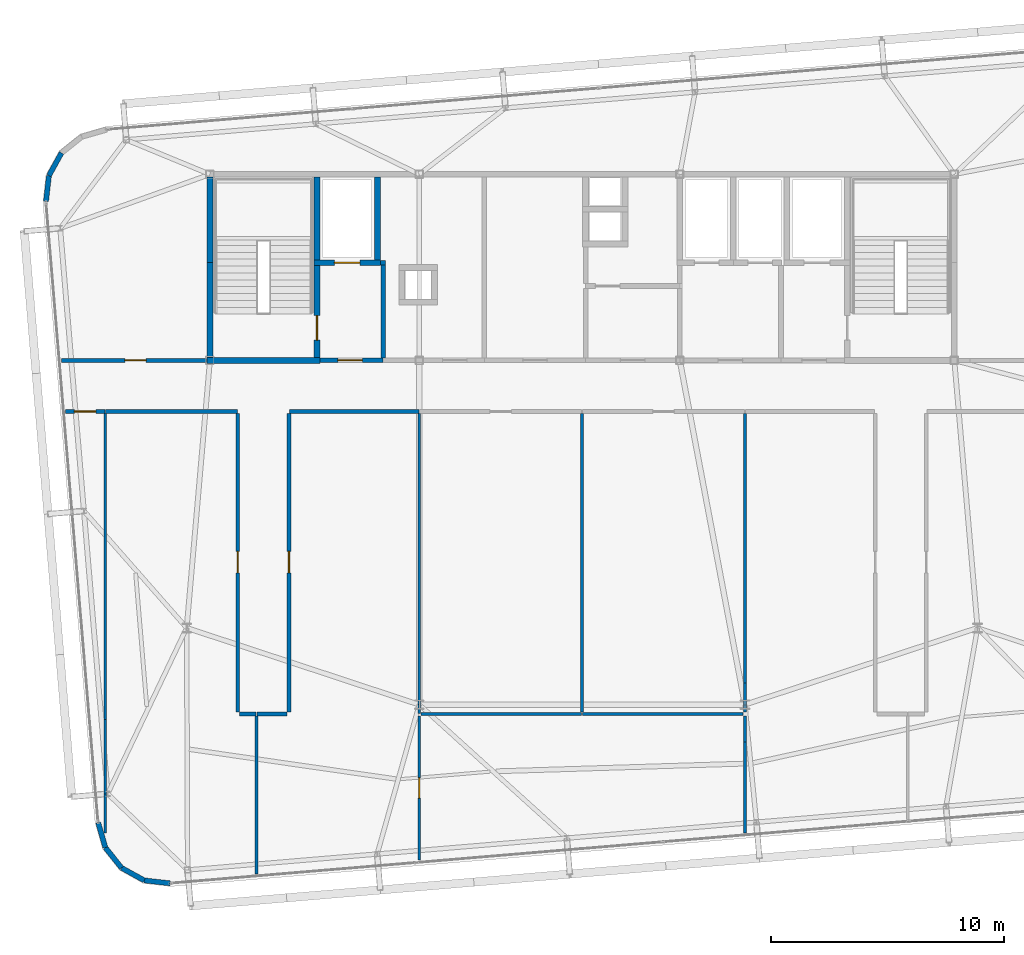
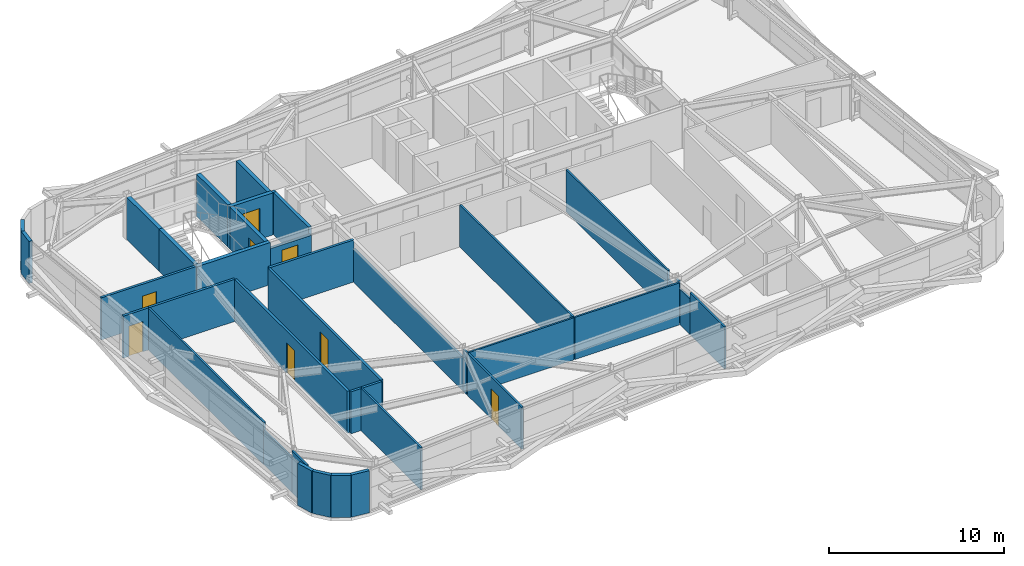
# One storey, part 35 of 39: 39 walls, 8 doors, 8 openings.
"""IFC4 building model written with IfcOpenShell, lengths in metres."""

from ifc_helpers import new_model, si_unit, direction, frame, frame_2d, origin, place, context, subcontext, project, spatial, rectangle, extrude, source, transform, mapped, material, layer, layer_set, type_object, element, fill, save


model = new_model("IFC4")

# Units and contexts
model_context = context("Model", 3, precision=1e-05, world=origin(), true_north=direction((0.0, 1.0)))
body_context = subcontext(model_context, "Body", "Model", "MODEL_VIEW")
ifc_project = project(units=[si_unit("LENGTHUNIT", "METRE"), si_unit("AREAUNIT", "SQUARE_METRE"), si_unit("VOLUMEUNIT", "CUBIC_METRE"), si_unit("PLANEANGLEUNIT", "RADIAN"), si_unit("MASSUNIT", "GRAM", prefix="KILO")], contexts=[model_context])

# Site, building, storey
site_placement = place(None, origin())
site = spatial("IfcSite", under=ifc_project, at=site_placement, CompositionType="ELEMENT")
building_placement = place(site_placement, origin())
building = spatial("IfcBuilding", under=site, at=building_placement, Name="Taldren Reach Tower", CompositionType="ELEMENT")
storey_placement = place(building_placement, frame((0.0, 0.0, 175.699951171875)))
storey = spatial("IfcBuildingStorey", under=building, at=storey_placement, Name="L53", CompositionType="ELEMENT", Elevation=175.699951171875)

# Walls
ifc_material_1 = material(Name="Pale Champagne Anodised Aluminium Cladding", Category="aluminium")
ifc_layer_1 = layer(ifc_material_1, 0.04, Name="Pale Champagne Anodised Aluminium Cladding", Category="aluminium")
ifc_material_2 = material(Name="Mineral Wool Acoustic Insulation", Category="insulation")
ifc_layer_2 = layer(ifc_material_2, 0.06, Name="Mineral Wool Acoustic Insulation", Category="insulation")
ifc_material_3 = material(Name="Steel Gr 350 (C350L0)", Category="steel")
ifc_layer_3 = layer(ifc_material_3, 0.12, Name="Steel Gr 350 (C350L0)", Category="steel")
ifc_layer_set_1 = layer_set([ifc_layer_1, ifc_layer_2, ifc_layer_3], Name="Pale Champagne Aluminium Cladding and Steel Gr 350 Stud Framing")
wall_type_1 = type_object("IfcWallType", Name="EW-CRN-220", PredefinedType="SOLIDWALL", material=ifc_layer_set_1)
shared_shape_1 = source(origin(), body_context, "Body", "SweptSolid", [
    extrude(rectangle(XDim=1.115966796875, YDim=0.219970703125, at=frame_2d((0.55810546875, 0.0))), origin(), (0.0, 0.0, 1.0), 2.929931640625),
])
for number, where, z_axis, x_axis, name in (
    (1, (12.618896484375, 32.9208984375, 0.0), (0.0, 0.0, 1.0), (-0.484100585842, -0.875012355791, 0.0), "Rounded-corner pale-metal facade wall L53-NW3"),
    (2, (12.07861328125, 31.9443359375, 0.0), (0.0, 0.0, 1.0), (-0.112232247342, -0.993682002784, 0.0), "Rounded-corner pale-metal facade wall L53-NW4"),
    (3, (14.19580078125, 4.129638671875, 0.0), (0.0, 0.0, 1.0), (0.276512002475, -0.961010464297, 0.0), "Rounded-corner pale-metal facade wall L53-SW1"),
    (4, (14.50439453125, 3.05712890625, 0.0), (0.0, 0.0, 1.0), (0.623092886403, -0.782147847222, 0.0), "Rounded-corner pale-metal facade wall L53-SW2"),
    (5, (15.19970703125, 2.184326171875, 0.0), (0.0, 0.0, 1.0), (0.875105012065, -0.483933071672, 0.0), "Rounded-corner pale-metal facade wall L53-SW3"),
    (6, (16.17626953125, 1.644287109375, 0.0), (0.0, 0.0, 1.0), (0.993657581277, -0.112448259968, 0.0), "Rounded-corner pale-metal facade wall L53-SW4"),
):
    element("IfcWall", number, at=place(storey_placement, frame(where, z_axis=z_axis, x_axis=x_axis)), inside=storey, type_object=wall_type_1, Name=name, PredefinedType="SOLIDWALL", context=body_context, shape_type="MappedRepresentation", body=[
        mapped(shared_shape_1, transform((0.0, 0.0, 0.0), scale=1.0)),
    ])
ifc_material_4 = material(Name="Fire-Rated Acoustic Plasterboard Stud Wall", Category="gypsum")
ifc_layer_4 = layer(ifc_material_4, 0.159912109375)
ifc_layer_set_2 = layer_set([ifc_layer_4], Name="Fire-Rated Acoustic Plasterboard Stud Wall")
wall_type_2 = type_object("IfcWallType", Name="IW-FIRE-160", PredefinedType="PARTITIONING", material=ifc_layer_set_2)
shared_shape_2 = source(origin(), body_context, "Body", "SweptSolid", [
    extrude(rectangle(XDim=1.2998046875, YDim=0.159912109375, at=frame_2d((0.64990234375, 0.0))), origin(), (0.0, 0.0, 1.0), 2.929931640625),
])
wall_1_placement = place(storey_placement, frame((22.320068359375, 8.800048828125, 0.0), z_axis=(0.0, 0.0, 1.0), x_axis=(-1.0, 0.0, 0.0)))
element("IfcWall", 7, at=wall_1_placement, inside=storey, type_object=wall_type_2, Name="Interior Partition Wall W-INT-L53-046", PredefinedType="PARTITIONING", context=body_context, shape_type="MappedRepresentation", body=[
    mapped(shared_shape_2, transform((0.0, 0.0, 0.0), scale=1.0)),
])
shared_shape_3 = source(origin(), body_context, "Body", "SweptSolid", [
    extrude(rectangle(XDim=0.69970703125, YDim=0.159912109375, at=frame_2d((0.349853515625, 0.0))), origin(), (0.0, 0.0, 1.0), 2.929931640625),
])
wall_2_placement = place(storey_placement, frame((20.979736328125, 8.800048828125, 0.0), z_axis=(0.0, 0.0, 1.0), x_axis=(-1.0, 0.0, 0.0)))
element("IfcWall", 8, at=wall_2_placement, inside=storey, type_object=wall_type_2, Name="Interior Partition Wall W-INT-L53-043", PredefinedType="PARTITIONING", context=body_context, shape_type="MappedRepresentation", body=[
    mapped(shared_shape_3, transform((0.0, 0.0, 0.0), scale=1.0)),
])
ifc_material_5 = material(Name="Concrete S50 (50 MPa)", Category="concrete")
ifc_layer_5 = layer(ifc_material_5, 0.199951171875)
ifc_layer_set_3 = layer_set([ifc_layer_5], Name="Concrete S50 (50 MPa)")
wall_type_3 = type_object("IfcWallType", Name="IW-CORE-200", PredefinedType="SOLIDWALL", material=ifc_layer_set_3)
shared_shape_4 = source(origin(), body_context, "Body", "SweptSolid", [
    extrude(rectangle(XDim=4.0, YDim=0.199951171875, at=frame_2d((2.0, 0.0))), origin(), (0.0, 0.0, 1.0), 2.929931640625),
])
wall_3_placement = place(storey_placement, frame((26.449951171875, 24.10009765625, 0.0), z_axis=(0.0, 0.0, 1.0), x_axis=(0.0, 1.0, 0.0)))
element("IfcWall", 9, at=wall_3_placement, inside=storey, type_object=wall_type_3, Name="Rear Core Shear Wall W-INT-L53-006", PredefinedType="SOLIDWALL", context=body_context, shape_type="MappedRepresentation", body=[
    mapped(shared_shape_4, transform((0.0, 0.0, 0.0), scale=1.0)),
])
ifc_material_6 = material(Name="Insulated Residential Stud Partition", Category="gypsum")
ifc_layer_6 = layer(ifc_material_6, 0.1201171875)
ifc_layer_set_4 = layer_set([ifc_layer_6], Name="Insulated Residential Stud Partition")
wall_type_4 = type_object("IfcWallType", Name="IW-PART-120", PredefinedType="PARTITIONING", material=ifc_layer_set_4)
shared_shape_5 = source(origin(), body_context, "Body", "SweptSolid", [
    extrude(rectangle(XDim=11.589599609375, YDim=0.1201171875, at=frame_2d((5.794921875, 0.0))), origin(), (0.0, 0.0, 1.0), 2.929931640625),
])
wall_4_placement = place(storey_placement, frame((42.0, 21.719970703125, 0.0), z_axis=(0.0, 0.0, 1.0), x_axis=(0.0, -1.0, 0.0)))
element("IfcWall", 10, at=wall_4_placement, inside=storey, type_object=wall_type_4, Name="Interior Partition Wall W-INT-L53-065", PredefinedType="PARTITIONING", context=body_context, shape_type="MappedRepresentation", body=[
    mapped(shared_shape_5, transform((0.0, 0.0, 0.0), scale=1.0)),
])
shared_shape_6 = source(origin(), body_context, "Body", "SweptSolid", [
    extrude(rectangle(XDim=0.941650390625, YDim=0.1201171875, at=frame_2d((0.470703125, 0.0))), origin(), (0.0, 0.0, 1.0), 2.328125),
])
wall_5_placement = place(storey_placement, frame((42.0, 10.13037109375, 0.0), z_axis=(0.0, 0.0, 1.0), x_axis=(0.0, -1.0, 0.0)))
element("IfcWall", 11, at=wall_5_placement, inside=storey, type_object=wall_type_4, Name="Interior Partition Wall W-INT-L53-065 part 2", PredefinedType="PARTITIONING", context=body_context, shape_type="MappedRepresentation", body=[
    mapped(shared_shape_6, transform((0.0, 0.0, 0.0), scale=1.0)),
])
shared_shape_7 = source(origin(), body_context, "Body", "SweptSolid", [
    extrude(rectangle(XDim=12.52001953125, YDim=0.1201171875, at=frame_2d((6.260009765625, 0.0))), origin(), (0.0, 0.0, 1.0), 2.328125),
])
wall_6_placement = place(storey_placement, frame((28.0, 21.719970703125, 0.0), z_axis=(0.0, 0.0, 1.0), x_axis=(0.0, -1.0, 0.0)))
element("IfcWall", 12, at=wall_6_placement, inside=storey, type_object=wall_type_4, Name="Interior Partition Wall W-INT-L53-063", PredefinedType="PARTITIONING", context=body_context, shape_type="MappedRepresentation", body=[
    mapped(shared_shape_7, transform((0.0, 0.0, 0.0), scale=1.0)),
])
ifc_material_7 = material(Name="Concrete S65 (65 MPa)", Category="concrete")
ifc_layer_7 = layer(ifc_material_7, 0.25)
ifc_layer_set_5 = layer_set([ifc_layer_7], Name="Concrete S65 (65 MPa)")
wall_type_5 = type_object("IfcWallType", Name="IW-CORE-250", PredefinedType="SHEAR", material=ifc_layer_set_5)
shared_shape_8 = source(origin(), body_context, "Body", "SweptSolid", [
    extrude(rectangle(XDim=4.074951171875, YDim=0.25, at=frame_2d((2.03759765625, 0.0))), origin(), (0.0, 0.0, 1.0), 2.929931640625),
])
wall_7_placement = place(storey_placement, frame((19.0, 24.125, 0.0), z_axis=(0.0, 0.0, 1.0), x_axis=(0.0, 1.0, 0.0)))
element("IfcWall", 13, at=wall_7_placement, inside=storey, type_object=wall_type_5, Name="Rear Core Shear Wall W-CORE-L53-WEST1", PredefinedType="SHEAR", context=body_context, shape_type="MappedRepresentation", body=[
    mapped(shared_shape_8, transform((0.0, 0.0, 0.0), scale=1.0)),
])
shared_shape_9 = source(origin(), body_context, "Body", "SweptSolid", [
    extrude(rectangle(XDim=3.675048828125, YDim=0.25, at=frame_2d((1.83740234375, 0.0))), origin(), (0.0, 0.0, 1.0), 2.929931640625),
])
wall_8_placement = place(storey_placement, frame((19.0, 28.199951171875, 0.0), z_axis=(0.0, 0.0, 1.0), x_axis=(0.0, 1.0, 0.0)))
element("IfcWall", 14, at=wall_8_placement, inside=storey, type_object=wall_type_5, Name="Rear Core Shear Wall W-CORE-L53-WEST2", PredefinedType="SHEAR", context=body_context, shape_type="MappedRepresentation", body=[
    mapped(shared_shape_9, transform((0.0, 0.0, 0.0), scale=1.0)),
])
shared_shape_10 = source(origin(), body_context, "Body", "SweptSolid", [
    extrude(rectangle(XDim=3.550048828125, YDim=0.25, at=frame_2d((1.77490234375, 0.0))), origin(), (0.0, 0.0, 1.0), 2.929931640625),
])
for number, where, z_axis, x_axis, name in (
    (15, (23.60009765625, 28.324951171875, 0.0), (0.0, 0.0, 1.0), (0.0, 1.0, 0.0), "Rear Core Shear Wall W-INT-L53-001"),
    (16, (26.199951171875, 28.324951171875, 0.0), (0.0, 0.0, 1.0), (0.0, 1.0, 0.0), "Rear Core Shear Wall W-INT-L53-005"),
):
    element("IfcWall", number, at=place(storey_placement, frame(where, z_axis=z_axis, x_axis=x_axis)), inside=storey, type_object=wall_type_5, Name=name, PredefinedType="SHEAR", context=body_context, shape_type="MappedRepresentation", body=[
        mapped(shared_shape_10, transform((0.0, 0.0, 0.0), scale=1.0)),
    ])

# Wall, opening, door
shared_shape_11 = source(origin(), body_context, "Body", "SweptSolid", [
    extrude(rectangle(XDim=3.949951171875, YDim=0.25, at=frame_2d((1.97509765625, 0.0))), origin(), (0.0, 0.0, 1.0), 2.929931640625),
])
wall_9_placement = place(storey_placement, frame((23.60009765625, 24.125, 0.0), z_axis=(0.0, 0.0, 1.0), x_axis=(0.0, 1.0, 0.0)))
wall_9 = element("IfcWall", 17, at=wall_9_placement, inside=storey, type_object=wall_type_5, Name="Rear Core Shear Wall W-INT-L53-002", PredefinedType="SHEAR", context=body_context, shape_type="MappedRepresentation", body=[
    mapped(shared_shape_11, transform((0.0, 0.0, 0.0), scale=1.0)),
])
shared_shape_12 = source(origin(), body_context, "Body", "SweptSolid", [
    extrude(rectangle(XDim=1.050048828125, YDim=2.10009765625, at=frame_2d((0.52490234375, 1.050048828125))), frame((0.0, 0.135009765625, 0.0), z_axis=(0.0, -1.0, 0.0), x_axis=(1.0, 0.0, 0.0)), (0.0, 0.0, 1.0), 0.27001953125),
])
opening_1_placement = place(wall_9_placement, frame((0.75, 0.0, 0.0)))
opening_1 = element("IfcOpeningElement", 18, at=opening_1_placement, cuts=wall_9, Name="Opening DF-105", PredefinedType="OPENING", context=body_context, shape_type="MappedRepresentation", body=[
    mapped(shared_shape_12, transform((0.0, 0.0, 0.0), scale=1.0)),
])
ifc_material_8 = material(Name="Fire-Rated Care and Stair Exit Door")
door_type_1 = type_object("IfcDoorType", Name="ID-FIRE-105", OperationType="NOTDEFINED", PredefinedType="DOOR", material=ifc_material_8)
shared_shape_13 = source(origin(), body_context, "Body", "SweptSolid", [
    extrude(rectangle(XDim=1.050048828125, YDim=2.10009765625, at=frame_2d((0.52490234375, 1.050048828125))), frame((0.0, 0.02490234375, 0.0), z_axis=(0.0, -1.0, 0.0), x_axis=(1.0, 0.0, 0.0)), (0.0, 0.0, 1.0), 0.050048828125),
])
door_1_placement = place(opening_1_placement, origin())
door_1 = element("IfcDoor", 19, at=door_1_placement, inside=storey, type_object=door_type_1, Name="Fire Exit Stair Door DR-L53-001", OperationType="SINGLE_SWING_LEFT", OverallHeight=2.10009765625, OverallWidth=1.050048828125, PredefinedType="DOOR", context=body_context, shape_type="MappedRepresentation", body=[
    mapped(shared_shape_13, transform((0.0, 0.0, 0.0), scale=1.0)),
])
fill(opening_1, door_1)

# Wall
shared_shape_14 = source(origin(), body_context, "Body", "SweptSolid", [
    extrude(rectangle(XDim=4.85009765625, YDim=0.25, at=frame_2d((2.425048828125, 0.0))), origin(), (0.0, 0.0, 1.0), 2.929931640625),
])
wall_10_placement = place(storey_placement, frame((18.875, 24.0, 0.0), z_axis=(0.0, 0.0, 1.0), x_axis=(1.0, 0.0, 0.0)))
element("IfcWall", 20, at=wall_10_placement, inside=storey, type_object=wall_type_5, Name="Rear Core Shear Wall W-INT-L53-003", PredefinedType="SHEAR", context=body_context, shape_type="MappedRepresentation", body=[
    mapped(shared_shape_14, transform((0.0, 0.0, 0.0), scale=1.0)),
])

# Wall, opening, door
shared_shape_15 = source(origin(), body_context, "Body", "SweptSolid", [
    extrude(rectangle(XDim=2.849853515625, YDim=0.25, at=frame_2d((1.4248046875, 0.0))), origin(), (0.0, 0.0, 1.0), 2.929931640625),
])
wall_11_placement = place(storey_placement, frame((23.47509765625, 28.199951171875, 0.0), z_axis=(0.0, 0.0, 1.0), x_axis=(1.0, 0.0, 0.0)))
wall_11 = element("IfcWall", 21, at=wall_11_placement, inside=storey, type_object=wall_type_5, Name="Rear Core Shear Wall W-INT-L53-004", PredefinedType="SHEAR", context=body_context, shape_type="MappedRepresentation", body=[
    mapped(shared_shape_15, transform((0.0, 0.0, 0.0), scale=1.0)),
])
shared_shape_16 = source(origin(), body_context, "Body", "SweptSolid", [
    extrude(rectangle(XDim=1.10009765625, YDim=2.14990234375, at=frame_2d((0.550048828125, 1.074951171875))), frame((0.0, 0.135009765625, 0.0), z_axis=(0.0, -1.0, 0.0), x_axis=(1.0, 0.0, 0.0)), (0.0, 0.0, 1.0), 0.27001953125),
])
opening_2_placement = place(wall_11_placement, frame((0.875, 0.0, 0.0)))
opening_2 = element("IfcOpeningElement", 22, at=opening_2_placement, cuts=wall_11, Name="Opening LD-FL1", PredefinedType="OPENING", context=body_context, shape_type="MappedRepresentation", body=[
    mapped(shared_shape_16, transform((0.0, 0.0, 0.0), scale=1.0)),
])
ifc_material_9 = material(Name="Stainless Steel Gr 316 Emergency Lift Landing Door", Category="steel")
door_type_2 = type_object("IfcDoorType", Name="LD-EMG-110", OperationType="SLIDING_TO_LEFT", PredefinedType="DOOR", material=ifc_material_9)
shared_shape_17 = source(origin(), body_context, "Body", "SweptSolid", [
    extrude(rectangle(XDim=1.10009765625, YDim=2.14990234375, at=frame_2d((0.550048828125, 1.074951171875))), frame((0.0, 0.02490234375, 0.0), z_axis=(0.0, -1.0, 0.0), x_axis=(1.0, 0.0, 0.0)), (0.0, 0.0, 1.0), 0.050048828125),
])
door_2_placement = place(opening_2_placement, origin())
door_2 = element("IfcDoor", 23, at=door_2_placement, inside=storey, type_object=door_type_2, Name="Lift Landing Door LD-FL1-L53", OperationType="SLIDING_TO_LEFT", OverallHeight=2.14990234375, OverallWidth=1.10009765625, PredefinedType="DOOR", context=body_context, shape_type="MappedRepresentation", body=[
    mapped(shared_shape_17, transform((0.0, 0.0, 0.0), scale=1.0)),
])
fill(opening_2, door_2)

shared_shape_18 = source(origin(), body_context, "Body", "SweptSolid", [
    extrude(rectangle(XDim=2.724853515625, YDim=0.199951171875, at=frame_2d((1.3623046875, 0.0))), origin(), (0.0, 0.0, 1.0), 2.469970703125),
])
wall_12_placement = place(storey_placement, frame((23.72509765625, 24.0, 0.0), z_axis=(0.0, 0.0, 1.0), x_axis=(1.0, 0.0, 0.0)))
wall_12 = element("IfcWall", 24, at=wall_12_placement, inside=storey, type_object=wall_type_3, Name="Rear Core Shear Wall W-INT-L53-007", PredefinedType="SOLIDWALL", context=body_context, shape_type="MappedRepresentation", body=[
    mapped(shared_shape_18, transform((0.0, 0.0, 0.0), scale=1.0)),
])
shared_shape_19 = source(origin(), body_context, "Body", "SweptSolid", [
    extrude(rectangle(XDim=1.050048828125, YDim=2.10009765625, at=frame_2d((0.52490234375, 1.050048828125))), frame((0.0, 0.10986328125, 0.0), z_axis=(0.0, -1.0, 0.0), x_axis=(1.0, 0.0, 0.0)), (0.0, 0.0, 1.0), 0.219970703125),
])
opening_3_placement = place(wall_12_placement, frame((0.77490234375, 0.0, 0.0)))
opening_3 = element("IfcOpeningElement", 25, at=opening_3_placement, cuts=wall_12, Name="Opening DF-105", PredefinedType="OPENING", context=body_context, shape_type="MappedRepresentation", body=[
    mapped(shared_shape_19, transform((0.0, 0.0, 0.0), scale=1.0)),
])
door_3_placement = place(opening_3_placement, origin())
door_3 = element("IfcDoor", 26, at=door_3_placement, inside=storey, type_object=door_type_1, Name="Interior Door DR-L53-002", OperationType="SINGLE_SWING_LEFT", OverallHeight=2.10009765625, OverallWidth=1.050048828125, PredefinedType="DOOR", context=body_context, shape_type="MappedRepresentation", body=[
    mapped(shared_shape_13, transform((0.0, 0.0, 0.0), scale=1.0)),
])
fill(opening_3, door_3)

shared_shape_20 = source(origin(), body_context, "Body", "SweptSolid", [
    extrude(rectangle(XDim=6.250732421875, YDim=0.159912109375, at=frame_2d((3.12548828125, 0.0))), origin(), (0.0, 0.0, 1.0), 2.929931640625),
])
wall_13_placement = place(storey_placement, frame((12.624267578125, 24.0, 0.0), z_axis=(0.0, 0.0, 1.0), x_axis=(1.0, 0.0, 0.0)))
wall_13 = element("IfcWall", 27, at=wall_13_placement, inside=storey, type_object=wall_type_2, Name="Interior Partition Wall W-INT-L53-039", PredefinedType="PARTITIONING", context=body_context, shape_type="MappedRepresentation", body=[
    mapped(shared_shape_20, transform((0.0, 0.0, 0.0), scale=1.0)),
])
shared_shape_21 = source(origin(), body_context, "Body", "SweptSolid", [
    extrude(rectangle(XDim=0.919921875, YDim=2.10009765625, at=frame_2d((0.4599609375, 1.050048828125))), frame((0.0, 0.08984375, 0.0), z_axis=(0.0, -1.0, 0.0), x_axis=(1.0, 0.0, 0.0)), (0.0, 0.0, 1.0), 0.179931640625),
])
opening_4_placement = place(wall_13_placement, frame((2.7177734375, 0.0, 0.0)))
opening_4 = element("IfcOpeningElement", 28, at=opening_4_placement, cuts=wall_13, Name="Opening DI-092", PredefinedType="OPENING", context=body_context, shape_type="MappedRepresentation", body=[
    mapped(shared_shape_21, transform((0.0, 0.0, 0.0), scale=1.0)),
])
ifc_material_10 = material(Name="Solid-Core Timber Suite Door", Category="wood")
door_type_3 = type_object("IfcDoorType", Name="ID-INT-092", OperationType="NOTDEFINED", PredefinedType="DOOR", material=ifc_material_10)
shared_shape_22 = source(origin(), body_context, "Body", "SweptSolid", [
    extrude(rectangle(XDim=0.919921875, YDim=2.10009765625, at=frame_2d((0.4599609375, 1.050048828125))), frame((0.0, 0.02490234375, 0.0), z_axis=(0.0, -1.0, 0.0), x_axis=(1.0, 0.0, 0.0)), (0.0, 0.0, 1.0), 0.050048828125),
])
door_4_placement = place(opening_4_placement, origin())
door_4 = element("IfcDoor", 29, at=door_4_placement, inside=storey, type_object=door_type_3, Name="Interior Door DR-L53-010", OperationType="SINGLE_SWING_LEFT", OverallHeight=2.10009765625, OverallWidth=0.919921875, PredefinedType="DOOR", context=body_context, shape_type="MappedRepresentation", body=[
    mapped(shared_shape_22, transform((0.0, 0.0, 0.0), scale=1.0)),
])
fill(opening_4, door_4)

shared_shape_23 = source(origin(), body_context, "Body", "SweptSolid", [
    extrude(rectangle(XDim=1.68408203125, YDim=0.159912109375, at=frame_2d((0.842041015625, 0.0))), origin(), (0.0, 0.0, 1.0), 2.929931640625),
])
wall_14_placement = place(storey_placement, frame((14.479736328125, 21.800048828125, 0.0), z_axis=(0.0, 0.0, 1.0), x_axis=(-1.0, 0.0, 0.0)))
wall_14 = element("IfcWall", 30, at=wall_14_placement, inside=storey, type_object=wall_type_2, Name="Interior Partition Wall W-INT-L53-040", PredefinedType="PARTITIONING", context=body_context, shape_type="MappedRepresentation", body=[
    mapped(shared_shape_23, transform((0.0, 0.0, 0.0), scale=1.0)),
])
opening_5_placement = place(wall_14_placement, frame((0.382080078125, 0.0, 0.0)))
opening_5 = element("IfcOpeningElement", 31, at=opening_5_placement, cuts=wall_14, Name="Opening DI-092", PredefinedType="OPENING", context=body_context, shape_type="MappedRepresentation", body=[
    mapped(shared_shape_21, transform((0.0, 0.0, 0.0), scale=1.0)),
])
door_5_placement = place(opening_5_placement, origin())
door_5 = element("IfcDoor", 32, at=door_5_placement, inside=storey, type_object=door_type_3, Name="Interior Door DR-L53-011", OperationType="SINGLE_SWING_RIGHT", OverallHeight=2.10009765625, OverallWidth=0.919921875, PredefinedType="DOOR", context=body_context, shape_type="MappedRepresentation", body=[
    mapped(shared_shape_22, transform((0.0, 0.0, 0.0), scale=1.0)),
])
fill(opening_5, door_5)

shared_shape_24 = source(origin(), body_context, "Body", "SweptSolid", [
    extrude(rectangle(XDim=12.840087890625, YDim=0.159912109375, at=frame_2d((6.419921875, 0.0))), origin(), (0.0, 0.0, 1.0), 2.929931640625),
])
wall_15_placement = place(storey_placement, frame((20.199951171875, 8.8798828125, 0.0), z_axis=(0.0, 0.0, 1.0), x_axis=(0.0, 1.0, 0.0)))
wall_15 = element("IfcWall", 33, at=wall_15_placement, inside=storey, type_object=wall_type_2, Name="Interior Partition Wall W-INT-L53-041", PredefinedType="PARTITIONING", context=body_context, shape_type="MappedRepresentation", body=[
    mapped(shared_shape_24, transform((0.0, 0.0, 0.0), scale=1.0)),
])
opening_6_placement = place(wall_15_placement, frame((5.989990234375, 0.0, 0.0)))
opening_6 = element("IfcOpeningElement", 34, at=opening_6_placement, cuts=wall_15, Name="Opening DI-092", PredefinedType="OPENING", context=body_context, shape_type="MappedRepresentation", body=[
    mapped(shared_shape_21, transform((0.0, 0.0, 0.0), scale=1.0)),
])
door_6_placement = place(opening_6_placement, origin())
door_6 = element("IfcDoor", 35, at=door_6_placement, inside=storey, type_object=door_type_3, Name="Interior Door DR-L53-012", OperationType="SINGLE_SWING_LEFT", OverallHeight=2.10009765625, OverallWidth=0.919921875, PredefinedType="DOOR", context=body_context, shape_type="MappedRepresentation", body=[
    mapped(shared_shape_22, transform((0.0, 0.0, 0.0), scale=1.0)),
])
fill(opening_6, door_6)

wall_16_placement = place(storey_placement, frame((22.39990234375, 21.719970703125, 0.0), z_axis=(0.0, 0.0, 1.0), x_axis=(0.0, -1.0, 0.0)))
wall_16 = element("IfcWall", 36, at=wall_16_placement, inside=storey, type_object=wall_type_2, Name="Interior Partition Wall W-INT-L53-044", PredefinedType="PARTITIONING", context=body_context, shape_type="MappedRepresentation", body=[
    mapped(shared_shape_24, transform((0.0, 0.0, 0.0), scale=1.0)),
])
opening_7_placement = place(wall_16_placement, frame((5.93017578125, 0.0, 0.0)))
opening_7 = element("IfcOpeningElement", 37, at=opening_7_placement, cuts=wall_16, Name="Opening DI-092", PredefinedType="OPENING", context=body_context, shape_type="MappedRepresentation", body=[
    mapped(shared_shape_21, transform((0.0, 0.0, 0.0), scale=1.0)),
])
door_7_placement = place(opening_7_placement, origin())
door_7 = element("IfcDoor", 38, at=door_7_placement, inside=storey, type_object=door_type_3, Name="Interior Door DR-L53-013", OperationType="SINGLE_SWING_RIGHT", OverallHeight=2.10009765625, OverallWidth=0.919921875, PredefinedType="DOOR", context=body_context, shape_type="MappedRepresentation", body=[
    mapped(shared_shape_22, transform((0.0, 0.0, 0.0), scale=1.0)),
])
fill(opening_7, door_7)

# Walls
shared_shape_25 = source(origin(), body_context, "Body", "SweptSolid", [
    extrude(rectangle(XDim=5.659423828125, YDim=0.159912109375, at=frame_2d((2.82958984375, 0.0))), origin(), (0.0, 0.0, 1.0), 2.929931640625),
])
wall_17_placement = place(storey_placement, frame((20.1796875, 21.800048828125, 0.0), z_axis=(0.0, 0.0, 1.0), x_axis=(-1.0, 0.0, 0.0)))
element("IfcWall", 39, at=wall_17_placement, inside=storey, type_object=wall_type_2, Name="Interior Partition Wall W-INT-L53-042", PredefinedType="PARTITIONING", context=body_context, shape_type="MappedRepresentation", body=[
    mapped(shared_shape_25, transform((0.0, 0.0, 0.0), scale=1.0)),
])
shared_shape_26 = source(origin(), body_context, "Body", "SweptSolid", [
    extrude(rectangle(XDim=5.5595703125, YDim=0.159912109375, at=frame_2d((2.77978515625, 0.0))), origin(), (0.0, 0.0, 1.0), 2.929931640625),
])
wall_18_placement = place(storey_placement, frame((27.979736328125, 21.800048828125, 0.0), z_axis=(0.0, 0.0, 1.0), x_axis=(-1.0, 0.0, 0.0)))
element("IfcWall", 40, at=wall_18_placement, inside=storey, type_object=wall_type_2, Name="Interior Partition Wall W-INT-L53-045", PredefinedType="PARTITIONING", context=body_context, shape_type="MappedRepresentation", body=[
    mapped(shared_shape_26, transform((0.0, 0.0, 0.0), scale=1.0)),
])

# Wall, opening, door
shared_shape_27 = source(origin(), body_context, "Body", "SweptSolid", [
    extrude(rectangle(XDim=6.204345703125, YDim=0.1201171875, at=frame_2d((3.10205078125, 0.0))), origin(), (0.0, 0.0, 1.0), 2.929931640625),
])
wall_19_placement = place(storey_placement, frame((28.0, 2.515625, 0.0), z_axis=(0.0, 0.0, 1.0), x_axis=(0.0, 1.0, 0.0)))
wall_19 = element("IfcWall", 41, at=wall_19_placement, inside=storey, type_object=wall_type_4, Name="Interior Partition Wall W-INT-L53-057", PredefinedType="PARTITIONING", context=body_context, shape_type="MappedRepresentation", body=[
    mapped(shared_shape_27, transform((0.0, 0.0, 0.0), scale=1.0)),
])
shared_shape_28 = source(origin(), body_context, "Body", "SweptSolid", [
    extrude(rectangle(XDim=0.860107421875, YDim=2.10009765625, at=frame_2d((0.43017578125, 1.050048828125))), frame((0.0, 0.070068359375, 0.0), z_axis=(0.0, -1.0, 0.0), x_axis=(1.0, 0.0, 0.0)), (0.0, 0.0, 1.0), 0.14013671875),
])
opening_8_placement = place(wall_19_placement, frame((2.672119140625, 0.0, 0.0)))
opening_8 = element("IfcOpeningElement", 42, at=opening_8_placement, cuts=wall_19, Name="Opening DI-086", PredefinedType="OPENING", context=body_context, shape_type="MappedRepresentation", body=[
    mapped(shared_shape_28, transform((0.0, 0.0, 0.0), scale=1.0)),
])
ifc_material_11 = material(Name="Timber Bathroom Door", Category="wood")
door_type_4 = type_object("IfcDoorType", Name="ID-INT-086", OperationType="NOTDEFINED", PredefinedType="DOOR", material=ifc_material_11)
shared_shape_29 = source(origin(), body_context, "Body", "SweptSolid", [
    extrude(rectangle(XDim=0.860107421875, YDim=2.10009765625, at=frame_2d((0.43017578125, 1.050048828125))), frame((0.0, 0.02490234375, 0.0), z_axis=(0.0, -1.0, 0.0), x_axis=(1.0, 0.0, 0.0)), (0.0, 0.0, 1.0), 0.050048828125),
])
door_8_placement = place(opening_8_placement, frame((0.860107421875, 0.0, 0.0), z_axis=(0.0, 0.0, 1.0), x_axis=(-1.0, 0.0, 0.0)))
door_8 = element("IfcDoor", 43, at=door_8_placement, inside=storey, type_object=door_type_4, Name="Interior Door DR-L53-020", OperationType="SINGLE_SWING_RIGHT", OverallHeight=2.10009765625, OverallWidth=0.860107421875, PredefinedType="DOOR", context=body_context, shape_type="MappedRepresentation", body=[
    mapped(shared_shape_29, transform((0.0, 0.0, 0.0), scale=1.0)),
])
fill(opening_8, door_8)

# Walls
shared_shape_30 = source(origin(), body_context, "Body", "SweptSolid", [
    extrude(rectangle(XDim=6.899658203125, YDim=0.1201171875, at=frame_2d((3.44970703125, 0.0))), origin(), (0.0, 0.0, 1.0), 2.929931640625),
])
for number, where, z_axis, x_axis, name in (
    (44, (28.080078125, 8.800048828125, 0.0), (0.0, 0.0, 1.0), (1.0, 0.0, 0.0), "Interior Partition Wall W-INT-L53-058"),
    (45, (35.020263671875, 8.800048828125, 0.0), (0.0, 0.0, 1.0), (1.0, 0.0, 0.0), "Interior Partition Wall W-INT-L53-059"),
):
    element("IfcWall", number, at=place(storey_placement, frame(where, z_axis=z_axis, x_axis=x_axis)), inside=storey, type_object=wall_type_4, Name=name, PredefinedType="PARTITIONING", context=body_context, shape_type="MappedRepresentation", body=[
        mapped(shared_shape_30, transform((0.0, 0.0, 0.0), scale=1.0)),
    ])
shared_shape_31 = source(origin(), body_context, "Body", "SweptSolid", [
    extrude(rectangle(XDim=1.116455078125, YDim=0.1201171875, at=frame_2d((0.55810546875, 0.0))), origin(), (0.0, 0.0, 1.0), 2.469970703125),
])
wall_20_placement = place(storey_placement, frame((42.0, 8.719970703125, 0.0), z_axis=(0.0, 0.0, 1.0), x_axis=(0.0, -1.0, 0.0)))
element("IfcWall", 46, at=wall_20_placement, inside=storey, type_object=wall_type_4, Name="Interior Partition Wall W-INT-L53-060", PredefinedType="PARTITIONING", context=body_context, shape_type="MappedRepresentation", body=[
    mapped(shared_shape_31, transform((0.0, 0.0, 0.0), scale=1.0)),
])
shared_shape_32 = source(origin(), body_context, "Body", "SweptSolid", [
    extrude(rectangle(XDim=3.92578125, YDim=0.1201171875, at=frame_2d((1.962890625, 0.0))), origin(), (0.0, 0.0, 1.0), 2.929931640625),
])
wall_21_placement = place(storey_placement, frame((42.0, 7.603515625, 0.0), z_axis=(0.0, 0.0, 1.0), x_axis=(0.0, -1.0, 0.0)))
element("IfcWall", 47, at=wall_21_placement, inside=storey, type_object=wall_type_4, Name="Interior Partition Wall W-INT-L53-060 part 2", PredefinedType="PARTITIONING", context=body_context, shape_type="MappedRepresentation", body=[
    mapped(shared_shape_32, transform((0.0, 0.0, 0.0), scale=1.0)),
])
shared_shape_33 = source(origin(), body_context, "Body", "SweptSolid", [
    extrude(rectangle(XDim=13.154541015625, YDim=0.1201171875, at=frame_2d((6.5771484375, 0.0))), origin(), (0.0, 0.0, 1.0), 2.929931640625),
])
wall_22_placement = place(storey_placement, frame((14.5, 21.719970703125, 0.0), z_axis=(0.0, 0.0, 1.0), x_axis=(0.0, -1.0, 0.0)))
element("IfcWall", 48, at=wall_22_placement, inside=storey, type_object=wall_type_4, Name="Interior Partition Wall W-INT-L53-061", PredefinedType="PARTITIONING", context=body_context, shape_type="MappedRepresentation", body=[
    mapped(shared_shape_33, transform((0.0, 0.0, 0.0), scale=1.0)),
])
shared_shape_34 = source(origin(), body_context, "Body", "SweptSolid", [
    extrude(rectangle(XDim=1.673583984375, YDim=0.1201171875, at=frame_2d((0.8369140625, 0.0))), origin(), (0.0, 0.0, 1.0), 2.929931640625),
])
wall_23_placement = place(storey_placement, frame((14.5, 5.359130859375, 0.0), z_axis=(0.0, 0.0, 1.0), x_axis=(0.0, -1.0, 0.0)))
element("IfcWall", 49, at=wall_23_placement, inside=storey, type_object=wall_type_4, Name="Interior Partition Wall W-INT-L53-061 part 3", PredefinedType="PARTITIONING", context=body_context, shape_type="MappedRepresentation", body=[
    mapped(shared_shape_34, transform((0.0, 0.0, 0.0), scale=1.0)),
])
shared_shape_35 = source(origin(), body_context, "Body", "SweptSolid", [
    extrude(rectangle(XDim=6.8056640625, YDim=0.1201171875, at=frame_2d((3.40283203125, 0.0))), origin(), (0.0, 0.0, 1.0), 2.929931640625),
])
wall_24_placement = place(storey_placement, frame((21.0, 8.719970703125, 0.0), z_axis=(0.0, 0.0, 1.0), x_axis=(0.0, -1.0, 0.0)))
element("IfcWall", 50, at=wall_24_placement, inside=storey, type_object=wall_type_4, Name="Interior Partition Wall W-INT-L53-062", PredefinedType="PARTITIONING", context=body_context, shape_type="MappedRepresentation", body=[
    mapped(shared_shape_35, transform((0.0, 0.0, 0.0), scale=1.0)),
])
shared_shape_36 = source(origin(), body_context, "Body", "SweptSolid", [
    extrude(rectangle(XDim=0.379638671875, YDim=0.1201171875, at=frame_2d((0.18994140625, 0.0))), origin(), (0.0, 0.0, 1.0), 2.929931640625),
])
wall_25_placement = place(storey_placement, frame((28.0, 9.199951171875, 0.0), z_axis=(0.0, 0.0, 1.0), x_axis=(0.0, -1.0, 0.0)))
element("IfcWall", 51, at=wall_25_placement, inside=storey, type_object=wall_type_4, Name="Interior Partition Wall W-INT-L53-063 part 2", PredefinedType="PARTITIONING", context=body_context, shape_type="MappedRepresentation", body=[
    mapped(shared_shape_36, transform((0.0, 0.0, 0.0), scale=1.0)),
])
shared_shape_37 = source(origin(), body_context, "Body", "SweptSolid", [
    extrude(rectangle(XDim=12.840087890625, YDim=0.1201171875, at=frame_2d((6.419921875, 0.0))), origin(), (0.0, 0.0, 1.0), 2.929931640625),
])
wall_26_placement = place(storey_placement, frame((35.0, 21.719970703125, 0.0), z_axis=(0.0, 0.0, 1.0), x_axis=(0.0, -1.0, 0.0)))
element("IfcWall", 52, at=wall_26_placement, inside=storey, type_object=wall_type_4, Name="Interior Partition Wall W-INT-L53-064", PredefinedType="PARTITIONING", context=body_context, shape_type="MappedRepresentation", body=[
    mapped(shared_shape_37, transform((0.0, 0.0, 0.0), scale=1.0)),
])
shared_shape_38 = source(origin(), body_context, "Body", "SweptSolid", [
    extrude(rectangle(XDim=0.308837890625, YDim=0.1201171875, at=frame_2d((0.154296875, 0.0))), origin(), (0.0, 0.0, 1.0), 2.929931640625),
])
wall_27_placement = place(storey_placement, frame((42.0, 9.188720703125, 0.0), z_axis=(0.0, 0.0, 1.0), x_axis=(0.0, -1.0, 0.0)))
element("IfcWall", 53, at=wall_27_placement, inside=storey, type_object=wall_type_4, Name="Interior Partition Wall W-INT-L53-065 part 3", PredefinedType="PARTITIONING", context=body_context, shape_type="MappedRepresentation", body=[
    mapped(shared_shape_38, transform((0.0, 0.0, 0.0), scale=1.0)),
])
shared_shape_39 = source(origin(), body_context, "Body", "SweptSolid", [
    extrude(rectangle(XDim=0.22509765625, YDim=0.199951171875, at=frame_2d((0.112548828125, 0.0))), origin(), (0.0, 0.0, 1.0), 2.929931640625),
])
wall_28_placement = place(storey_placement, frame((26.324951171875, 28.199951171875, 0.0), z_axis=(0.0, 0.0, 1.0), x_axis=(1.0, 0.0, 0.0)))
element("IfcWall", 54, at=wall_28_placement, inside=storey, type_object=wall_type_3, Name="Rear Core Partition Wall W-INT-L53-068", PredefinedType="SOLIDWALL", context=body_context, shape_type="MappedRepresentation", body=[
    mapped(shared_shape_39, transform((0.0, 0.0, 0.0), scale=1.0)),
])
shared_shape_40 = source(origin(), body_context, "Body", "SweptSolid", [
    extrude(rectangle(XDim=3.206298828125, YDim=0.1201171875, at=frame_2d((1.60302734375, 0.0))), origin(), (0.0, 0.0, 1.0), 2.402099609375),
])
wall_29_placement = place(storey_placement, frame((14.5, 8.5654296875, 0.0), z_axis=(0.0, 0.0, 1.0), x_axis=(0.0, -1.0, 0.0)))
element("IfcWall", 55, at=wall_29_placement, inside=storey, type_object=wall_type_4, Name="Interior Partition Wall W-INT-L53-061 part 2", PredefinedType="PARTITIONING", context=body_context, shape_type="MappedRepresentation", body=[
    mapped(shared_shape_40, transform((0.0, 0.0, 0.0), scale=1.0)),
])

save(model, "model.ifc")
